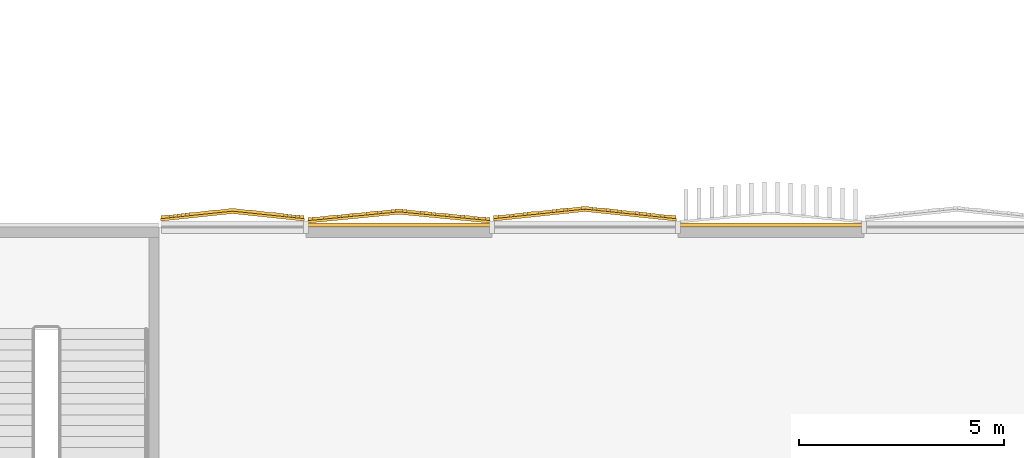
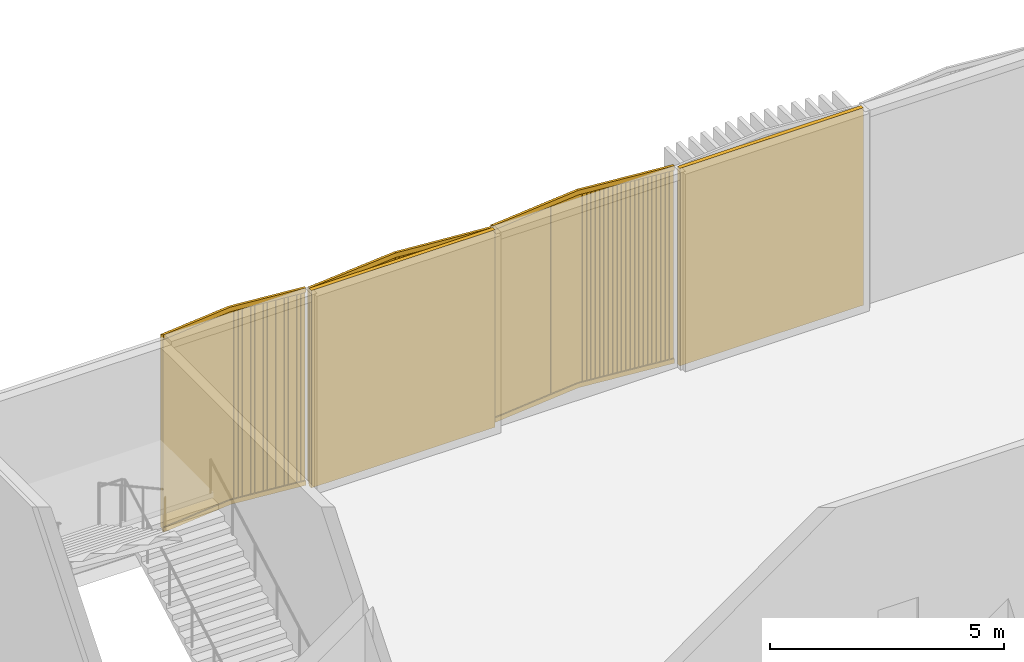
# One storey, part 29 of 31: 5 coverings.
"""IFC4 building model written with IfcOpenShell, lengths in metres."""

from ifc_helpers import new_model, si_unit, direction, frame, frame_2d, origin, origin_2d, place, context, subcontext, project, spatial, rectangle, extrude, source, transform, mapped, material, layer, layer_set, type_object, element, save


model = new_model("IFC4")

# Units and contexts
model_context = context("Model", 3, precision=1e-05, world=origin(), true_north=direction((0.0, 1.0)))
body_context = subcontext(model_context, "Body", "Model", "MODEL_VIEW")
ifc_project = project(units=[si_unit("LENGTHUNIT", "METRE"), si_unit("AREAUNIT", "SQUARE_METRE"), si_unit("VOLUMEUNIT", "CUBIC_METRE"), si_unit("PLANEANGLEUNIT", "RADIAN"), si_unit("MASSUNIT", "GRAM", prefix="KILO")], contexts=[model_context])

# Site, building, storey
site_placement = place(None, origin())
site = spatial("IfcSite", under=ifc_project, at=site_placement, CompositionType="ELEMENT")
building_placement = place(site_placement, origin())
building = spatial("IfcBuilding", under=site, at=building_placement, Name="Tamra Quay Hotel Tower", CompositionType="ELEMENT")
storey_placement = place(building_placement, frame((0.0, 0.0, 14.0)))
storey = spatial("IfcBuildingStorey", under=building, at=storey_placement, Name="L02", CompositionType="ELEMENT", Elevation=14.0)

# Coverings
ifc_material_1 = material(Name="Precast concrete M60 terracotta-coloured pierced relief", Category="masonry")
ifc_layer = layer(ifc_material_1, 0.10009765625)
ifc_layer_set = layer_set([ifc_layer], Name="PIERCED RELIEF PANEL 100")
covering_type_1 = type_object("IfcCoveringType", Name="PIERCED RELIEF PANEL 100", PredefinedType="CLADDING", material=ifc_layer_set)
for number, where, z_axis, x_axis, name in (
    (1, (-68.642333984375, 32.050048828125, 0.0), (0.0, 0.0, 1.0), (-1.0, 0.0, 0.0), "Relief panel L02.NW.19"),
    (2, (-77.734619140625, 32.050048828125, 0.0), (0.0, 0.0, 1.0), (-1.0, 0.0, 0.0), "Relief panel L02.NW.21"),
):
    element("IfcCovering", number, at=place(storey_placement, frame(where, z_axis=z_axis, x_axis=x_axis)), inside=storey, type_object=covering_type_1, Name=name, PredefinedType="CLADDING", context=body_context, shape_type="SweptSolid", body=[
        extrude(rectangle(XDim=4.526123046875, YDim=0.10009765625, at=origin_2d()), origin(), (0.0, 0.0, 1.0), 5.14990234375),
    ])
ifc_material_2 = material(Name="Terracotta baguette extruded", Category="masonry")
covering_type_2 = type_object("IfcCoveringType", Name="BAGUETTE SCREEN PODIUM-SHALLOW H5150", PredefinedType="USERDEFINED", material=ifc_material_2)
shared_shape_1 = source(origin(), body_context, "Body", "SweptSolid", [
    extrude(rectangle(XDim=2.244873046875, YDim=0.06005859375, at=frame_2d((1.12255859375, 0.030029296875))), frame((-2.23876953125, -0.0576171875, -0.1201171875), z_axis=(0.0, 0.0, 1.0), x_axis=(0.994521895368, -0.104528463268, 0.0)), (0.0, 0.0, 1.0), 0.1201171875),
    extrude(rectangle(XDim=2.244873046875, YDim=0.06005859375, at=frame_2d((1.12255859375, 0.030029296875))), frame((-2.23876953125, -0.0576171875, -5.14990234375), z_axis=(0.0, 0.0, 1.0), x_axis=(0.994521895368, -0.104528463268, 0.0)), (0.0, 0.0, 1.0), 0.1201171875),
    extrude(rectangle(XDim=0.094970703125, YDim=0.10009765625, at=frame_2d((0.04736328125, 0.050048828125))), frame((-2.229248046875, -0.13330078125, -5.090087890625)), (0.0, 0.0, 1.0), 5.030029296875),
    extrude(rectangle(XDim=0.094970703125, YDim=0.10009765625, at=frame_2d((0.04736328125, 0.050048828125))), frame((-2.127685546875, -0.14404296875, -5.090087890625)), (0.0, 0.0, 1.0), 5.030029296875),
    extrude(rectangle(XDim=0.094970703125, YDim=0.10009765625, at=frame_2d((0.04736328125, 0.050048828125))), frame((-2.0263671875, -0.154541015625, -5.090087890625)), (0.0, 0.0, 1.0), 5.030029296875),
    extrude(rectangle(XDim=0.094970703125, YDim=0.10009765625, at=frame_2d((0.04736328125, 0.050048828125))), frame((-1.9248046875, -0.165283203125, -5.090087890625)), (0.0, 0.0, 1.0), 5.030029296875),
    extrude(rectangle(XDim=0.094970703125, YDim=0.10009765625, at=frame_2d((0.04736328125, 0.050048828125))), frame((-1.8232421875, -0.176025390625, -5.090087890625)), (0.0, 0.0, 1.0), 5.030029296875),
    extrude(rectangle(XDim=0.094970703125, YDim=0.10009765625, at=frame_2d((0.04736328125, 0.050048828125))), frame((-1.721923828125, -0.186767578125, -5.090087890625)), (0.0, 0.0, 1.0), 5.030029296875),
    extrude(rectangle(XDim=0.094970703125, YDim=0.10009765625, at=frame_2d((0.04736328125, 0.050048828125))), frame((-1.620361328125, -0.197265625, -5.090087890625)), (0.0, 0.0, 1.0), 5.030029296875),
    extrude(rectangle(XDim=0.094970703125, YDim=0.10009765625, at=frame_2d((0.04736328125, 0.050048828125))), frame((-1.518798828125, -0.2080078125, -5.090087890625)), (0.0, 0.0, 1.0), 5.030029296875),
    extrude(rectangle(XDim=0.094970703125, YDim=0.10009765625, at=frame_2d((0.04736328125, 0.050048828125))), frame((-1.41748046875, -0.21875, -5.090087890625)), (0.0, 0.0, 1.0), 5.030029296875),
    extrude(rectangle(XDim=0.094970703125, YDim=0.10009765625, at=frame_2d((0.04736328125, 0.050048828125))), frame((-1.31591796875, -0.229248046875, -5.090087890625)), (0.0, 0.0, 1.0), 5.030029296875),
    extrude(rectangle(XDim=0.094970703125, YDim=0.10009765625, at=frame_2d((0.04736328125, 0.050048828125))), frame((-1.214599609375, -0.239990234375, -5.090087890625)), (0.0, 0.0, 1.0), 5.030029296875),
    extrude(rectangle(XDim=0.094970703125, YDim=0.10009765625, at=frame_2d((0.04736328125, 0.050048828125))), frame((-1.113037109375, -0.250732421875, -5.090087890625)), (0.0, 0.0, 1.0), 5.030029296875),
    extrude(rectangle(XDim=0.094970703125, YDim=0.10009765625, at=frame_2d((0.04736328125, 0.050048828125))), frame((-1.011474609375, -0.26123046875, -5.090087890625)), (0.0, 0.0, 1.0), 5.030029296875),
    extrude(rectangle(XDim=0.094970703125, YDim=0.10009765625, at=frame_2d((0.04736328125, 0.050048828125))), frame((-0.91015625, -0.27197265625, -5.090087890625)), (0.0, 0.0, 1.0), 5.030029296875),
    extrude(rectangle(XDim=0.094970703125, YDim=0.10009765625, at=frame_2d((0.04736328125, 0.050048828125))), frame((-0.80859375, -0.28271484375, -5.090087890625)), (0.0, 0.0, 1.0), 5.030029296875),
    extrude(rectangle(XDim=0.094970703125, YDim=0.10009765625, at=frame_2d((0.04736328125, 0.050048828125))), frame((-0.70703125, -0.293212890625, -5.090087890625)), (0.0, 0.0, 1.0), 5.030029296875),
    extrude(rectangle(XDim=0.094970703125, YDim=0.10009765625, at=frame_2d((0.04736328125, 0.050048828125))), frame((-0.605712890625, -0.303955078125, -5.090087890625)), (0.0, 0.0, 1.0), 5.030029296875),
    extrude(rectangle(XDim=0.094970703125, YDim=0.10009765625, at=frame_2d((0.04736328125, 0.050048828125))), frame((-0.504150390625, -0.314697265625, -5.090087890625)), (0.0, 0.0, 1.0), 5.030029296875),
    extrude(rectangle(XDim=0.094970703125, YDim=0.10009765625, at=frame_2d((0.04736328125, 0.050048828125))), frame((-0.402587890625, -0.325439453125, -5.090087890625)), (0.0, 0.0, 1.0), 5.030029296875),
    extrude(rectangle(XDim=0.094970703125, YDim=0.10009765625, at=frame_2d((0.04736328125, 0.050048828125))), frame((-0.30126953125, -0.3359375, -5.090087890625)), (0.0, 0.0, 1.0), 5.030029296875),
    extrude(rectangle(XDim=0.094970703125, YDim=0.10009765625, at=frame_2d((0.04736328125, 0.050048828125))), frame((-0.19970703125, -0.3466796875, -5.090087890625)), (0.0, 0.0, 1.0), 5.030029296875),
    extrude(rectangle(XDim=0.094970703125, YDim=0.10009765625, at=frame_2d((0.04736328125, 0.050048828125))), frame((-0.09814453125, -0.357421875, -5.090087890625)), (0.0, 0.0, 1.0), 5.030029296875),
    extrude(rectangle(XDim=2.244873046875, YDim=0.06005859375, at=frame_2d((1.12255859375, 0.030029296875))), frame((0.00634765625, -0.292236328125, -0.1201171875), z_axis=(0.0, 0.0, 1.0), x_axis=(0.994521895368, 0.104528463268, 0.0)), (0.0, 0.0, 1.0), 0.1201171875),
    extrude(rectangle(XDim=2.244873046875, YDim=0.06005859375, at=frame_2d((1.12255859375, 0.030029296875))), frame((0.00634765625, -0.292236328125, -5.14990234375), z_axis=(0.0, 0.0, 1.0), x_axis=(0.994521895368, 0.104528463268, 0.0)), (0.0, 0.0, 1.0), 0.1201171875),
    extrude(rectangle(XDim=0.094970703125, YDim=0.10009765625, at=frame_2d((0.04736328125, 0.050048828125))), frame((0.003173828125, -0.357421875, -5.090087890625)), (0.0, 0.0, 1.0), 5.030029296875),
    extrude(rectangle(XDim=0.094970703125, YDim=0.10009765625, at=frame_2d((0.04736328125, 0.050048828125))), frame((0.104736328125, -0.3466796875, -5.090087890625)), (0.0, 0.0, 1.0), 5.030029296875),
    extrude(rectangle(XDim=0.094970703125, YDim=0.10009765625, at=frame_2d((0.04736328125, 0.050048828125))), frame((0.206298828125, -0.3359375, -5.090087890625)), (0.0, 0.0, 1.0), 5.030029296875),
    extrude(rectangle(XDim=0.094970703125, YDim=0.10009765625, at=frame_2d((0.04736328125, 0.050048828125))), frame((0.3076171875, -0.325439453125, -5.090087890625)), (0.0, 0.0, 1.0), 5.030029296875),
    extrude(rectangle(XDim=0.094970703125, YDim=0.10009765625, at=frame_2d((0.04736328125, 0.050048828125))), frame((0.4091796875, -0.314697265625, -5.090087890625)), (0.0, 0.0, 1.0), 5.030029296875),
    extrude(rectangle(XDim=0.094970703125, YDim=0.10009765625, at=frame_2d((0.04736328125, 0.050048828125))), frame((0.510498046875, -0.303955078125, -5.090087890625)), (0.0, 0.0, 1.0), 5.030029296875),
    extrude(rectangle(XDim=0.094970703125, YDim=0.10009765625, at=frame_2d((0.04736328125, 0.050048828125))), frame((0.612060546875, -0.293212890625, -5.090087890625)), (0.0, 0.0, 1.0), 5.030029296875),
    extrude(rectangle(XDim=0.094970703125, YDim=0.10009765625, at=frame_2d((0.04736328125, 0.050048828125))), frame((0.713623046875, -0.28271484375, -5.090087890625)), (0.0, 0.0, 1.0), 5.030029296875),
    extrude(rectangle(XDim=0.094970703125, YDim=0.10009765625, at=frame_2d((0.04736328125, 0.050048828125))), frame((0.81494140625, -0.27197265625, -5.090087890625)), (0.0, 0.0, 1.0), 5.030029296875),
    extrude(rectangle(XDim=0.094970703125, YDim=0.10009765625, at=frame_2d((0.04736328125, 0.050048828125))), frame((0.91650390625, -0.26123046875, -5.090087890625)), (0.0, 0.0, 1.0), 5.030029296875),
    extrude(rectangle(XDim=0.094970703125, YDim=0.10009765625, at=frame_2d((0.04736328125, 0.050048828125))), frame((1.01806640625, -0.250732421875, -5.090087890625)), (0.0, 0.0, 1.0), 5.030029296875),
    extrude(rectangle(XDim=0.094970703125, YDim=0.10009765625, at=frame_2d((0.04736328125, 0.050048828125))), frame((1.119384765625, -0.239990234375, -5.090087890625)), (0.0, 0.0, 1.0), 5.030029296875),
    extrude(rectangle(XDim=0.094970703125, YDim=0.10009765625, at=frame_2d((0.04736328125, 0.050048828125))), frame((1.220947265625, -0.229248046875, -5.090087890625)), (0.0, 0.0, 1.0), 5.030029296875),
    extrude(rectangle(XDim=0.094970703125, YDim=0.10009765625, at=frame_2d((0.04736328125, 0.050048828125))), frame((1.322509765625, -0.21875, -5.090087890625)), (0.0, 0.0, 1.0), 5.030029296875),
    extrude(rectangle(XDim=0.094970703125, YDim=0.10009765625, at=frame_2d((0.04736328125, 0.050048828125))), frame((1.423828125, -0.2080078125, -5.090087890625)), (0.0, 0.0, 1.0), 5.030029296875),
    extrude(rectangle(XDim=0.094970703125, YDim=0.10009765625, at=frame_2d((0.04736328125, 0.050048828125))), frame((1.525390625, -0.197265625, -5.090087890625)), (0.0, 0.0, 1.0), 5.030029296875),
    extrude(rectangle(XDim=0.094970703125, YDim=0.10009765625, at=frame_2d((0.04736328125, 0.050048828125))), frame((1.626953125, -0.186767578125, -5.090087890625)), (0.0, 0.0, 1.0), 5.030029296875),
    extrude(rectangle(XDim=0.094970703125, YDim=0.10009765625, at=frame_2d((0.04736328125, 0.050048828125))), frame((1.728271484375, -0.176025390625, -5.090087890625)), (0.0, 0.0, 1.0), 5.030029296875),
    extrude(rectangle(XDim=0.094970703125, YDim=0.10009765625, at=frame_2d((0.04736328125, 0.050048828125))), frame((1.829833984375, -0.165283203125, -5.090087890625)), (0.0, 0.0, 1.0), 5.030029296875),
    extrude(rectangle(XDim=0.094970703125, YDim=0.10009765625, at=frame_2d((0.04736328125, 0.050048828125))), frame((1.931396484375, -0.154541015625, -5.090087890625)), (0.0, 0.0, 1.0), 5.030029296875),
    extrude(rectangle(XDim=0.094970703125, YDim=0.10009765625, at=frame_2d((0.04736328125, 0.050048828125))), frame((2.03271484375, -0.14404296875, -5.090087890625)), (0.0, 0.0, 1.0), 5.030029296875),
    extrude(rectangle(XDim=0.094970703125, YDim=0.10009765625, at=frame_2d((0.04736328125, 0.050048828125))), frame((2.13427734375, -0.13330078125, -5.090087890625)), (0.0, 0.0, 1.0), 5.030029296875),
])
covering_1_placement = place(storey_placement, frame((-73.1884765625, 32.14794921875, 5.14990234375), z_axis=(0.0, 0.0, 1.0), x_axis=(-1.0, 0.0, 0.0)))
element("IfcCovering", 3, at=covering_1_placement, inside=storey, type_object=covering_type_2, Name="Baguette screen L02.NW.f02", ObjectType="BAGUETTE SCREEN", PredefinedType="USERDEFINED", context=body_context, shape_type="MappedRepresentation", body=[
    mapped(shared_shape_1, transform((0.0, 0.0, 0.0), scale=1.0)),
])
shared_shape_2 = source(origin(), body_context, "Body", "SweptSolid", [
    extrude(rectangle(XDim=1.76220703125, YDim=0.06005859375, at=frame_2d((0.881103515625, 0.030029296875))), frame((-1.7587890625, -0.0576171875, -0.1201171875), z_axis=(0.0, 0.0, 1.0), x_axis=(0.994521895368, -0.104528463268, 0.0)), (0.0, 0.0, 1.0), 0.1201171875),
    extrude(rectangle(XDim=1.76220703125, YDim=0.06005859375, at=frame_2d((0.881103515625, 0.030029296875))), frame((-1.7587890625, -0.0576171875, -5.14990234375), z_axis=(0.0, 0.0, 1.0), x_axis=(0.994521895368, -0.104528463268, 0.0)), (0.0, 0.0, 1.0), 0.1201171875),
    extrude(rectangle(XDim=0.094970703125, YDim=0.10009765625, at=frame_2d((0.04736328125, 0.050048828125))), frame((-1.751220703125, -0.133056640625, -5.090087890625)), (0.0, 0.0, 1.0), 5.030029296875),
    extrude(rectangle(XDim=0.094970703125, YDim=0.10009765625, at=frame_2d((0.04736328125, 0.050048828125))), frame((-1.654052734375, -0.143310546875, -5.090087890625)), (0.0, 0.0, 1.0), 5.030029296875),
    extrude(rectangle(XDim=0.094970703125, YDim=0.10009765625, at=frame_2d((0.04736328125, 0.050048828125))), frame((-1.556640625, -0.153564453125, -5.090087890625)), (0.0, 0.0, 1.0), 5.030029296875),
    extrude(rectangle(XDim=0.094970703125, YDim=0.10009765625, at=frame_2d((0.04736328125, 0.050048828125))), frame((-1.459228515625, -0.163818359375, -5.090087890625)), (0.0, 0.0, 1.0), 5.030029296875),
    extrude(rectangle(XDim=0.094970703125, YDim=0.10009765625, at=frame_2d((0.04736328125, 0.050048828125))), frame((-1.36181640625, -0.174072265625, -5.090087890625)), (0.0, 0.0, 1.0), 5.030029296875),
    extrude(rectangle(XDim=0.094970703125, YDim=0.10009765625, at=frame_2d((0.04736328125, 0.050048828125))), frame((-1.264404296875, -0.184326171875, -5.090087890625)), (0.0, 0.0, 1.0), 5.030029296875),
    extrude(rectangle(XDim=0.094970703125, YDim=0.10009765625, at=frame_2d((0.04736328125, 0.050048828125))), frame((-1.167236328125, -0.194580078125, -5.090087890625)), (0.0, 0.0, 1.0), 5.030029296875),
    extrude(rectangle(XDim=0.094970703125, YDim=0.10009765625, at=frame_2d((0.04736328125, 0.050048828125))), frame((-1.06982421875, -0.204833984375, -5.090087890625)), (0.0, 0.0, 1.0), 5.030029296875),
    extrude(rectangle(XDim=0.094970703125, YDim=0.10009765625, at=frame_2d((0.04736328125, 0.050048828125))), frame((-0.972412109375, -0.215087890625, -5.090087890625)), (0.0, 0.0, 1.0), 5.030029296875),
    extrude(rectangle(XDim=0.094970703125, YDim=0.10009765625, at=frame_2d((0.04736328125, 0.050048828125))), frame((-0.875, -0.22509765625, -5.090087890625)), (0.0, 0.0, 1.0), 5.030029296875),
    extrude(rectangle(XDim=0.094970703125, YDim=0.10009765625, at=frame_2d((0.04736328125, 0.050048828125))), frame((-0.77783203125, -0.2353515625, -5.090087890625)), (0.0, 0.0, 1.0), 5.030029296875),
    extrude(rectangle(XDim=0.094970703125, YDim=0.10009765625, at=frame_2d((0.04736328125, 0.050048828125))), frame((-0.680419921875, -0.24560546875, -5.090087890625)), (0.0, 0.0, 1.0), 5.030029296875),
    extrude(rectangle(XDim=0.094970703125, YDim=0.10009765625, at=frame_2d((0.04736328125, 0.050048828125))), frame((-0.5830078125, -0.255859375, -5.090087890625)), (0.0, 0.0, 1.0), 5.030029296875),
    extrude(rectangle(XDim=0.094970703125, YDim=0.10009765625, at=frame_2d((0.04736328125, 0.050048828125))), frame((-0.485595703125, -0.26611328125, -5.090087890625)), (0.0, 0.0, 1.0), 5.030029296875),
    extrude(rectangle(XDim=0.094970703125, YDim=0.10009765625, at=frame_2d((0.04736328125, 0.050048828125))), frame((-0.38818359375, -0.2763671875, -5.090087890625)), (0.0, 0.0, 1.0), 5.030029296875),
    extrude(rectangle(XDim=0.094970703125, YDim=0.10009765625, at=frame_2d((0.04736328125, 0.050048828125))), frame((-0.291015625, -0.28662109375, -5.090087890625)), (0.0, 0.0, 1.0), 5.030029296875),
    extrude(rectangle(XDim=0.094970703125, YDim=0.10009765625, at=frame_2d((0.04736328125, 0.050048828125))), frame((-0.193603515625, -0.296875, -5.090087890625)), (0.0, 0.0, 1.0), 5.030029296875),
    extrude(rectangle(XDim=0.094970703125, YDim=0.10009765625, at=frame_2d((0.04736328125, 0.050048828125))), frame((-0.09619140625, -0.30712890625, -5.090087890625)), (0.0, 0.0, 1.0), 5.030029296875),
    extrude(rectangle(XDim=1.76220703125, YDim=0.06005859375, at=frame_2d((0.881103515625, 0.030029296875))), frame((0.00634765625, -0.241943359375, -0.1201171875), z_axis=(0.0, 0.0, 1.0), x_axis=(0.994521895368, 0.104528463268, 0.0)), (0.0, 0.0, 1.0), 0.1201171875),
    extrude(rectangle(XDim=1.76220703125, YDim=0.06005859375, at=frame_2d((0.881103515625, 0.030029296875))), frame((0.00634765625, -0.241943359375, -5.14990234375), z_axis=(0.0, 0.0, 1.0), x_axis=(0.994521895368, 0.104528463268, 0.0)), (0.0, 0.0, 1.0), 0.1201171875),
    extrude(rectangle(XDim=0.094970703125, YDim=0.10009765625, at=frame_2d((0.04736328125, 0.050048828125))), frame((0.001220703125, -0.30712890625, -5.090087890625)), (0.0, 0.0, 1.0), 5.030029296875),
    extrude(rectangle(XDim=0.094970703125, YDim=0.10009765625, at=frame_2d((0.04736328125, 0.050048828125))), frame((0.0986328125, -0.296875, -5.090087890625)), (0.0, 0.0, 1.0), 5.030029296875),
    extrude(rectangle(XDim=0.094970703125, YDim=0.10009765625, at=frame_2d((0.04736328125, 0.050048828125))), frame((0.19580078125, -0.28662109375, -5.090087890625)), (0.0, 0.0, 1.0), 5.030029296875),
    extrude(rectangle(XDim=0.094970703125, YDim=0.10009765625, at=frame_2d((0.04736328125, 0.050048828125))), frame((0.293212890625, -0.2763671875, -5.090087890625)), (0.0, 0.0, 1.0), 5.030029296875),
    extrude(rectangle(XDim=0.094970703125, YDim=0.10009765625, at=frame_2d((0.04736328125, 0.050048828125))), frame((0.390625, -0.26611328125, -5.090087890625)), (0.0, 0.0, 1.0), 5.030029296875),
    extrude(rectangle(XDim=0.094970703125, YDim=0.10009765625, at=frame_2d((0.04736328125, 0.050048828125))), frame((0.488037109375, -0.255859375, -5.090087890625)), (0.0, 0.0, 1.0), 5.030029296875),
    extrude(rectangle(XDim=0.094970703125, YDim=0.10009765625, at=frame_2d((0.04736328125, 0.050048828125))), frame((0.58544921875, -0.24560546875, -5.090087890625)), (0.0, 0.0, 1.0), 5.030029296875),
    extrude(rectangle(XDim=0.094970703125, YDim=0.10009765625, at=frame_2d((0.04736328125, 0.050048828125))), frame((0.6826171875, -0.2353515625, -5.090087890625)), (0.0, 0.0, 1.0), 5.030029296875),
    extrude(rectangle(XDim=0.094970703125, YDim=0.10009765625, at=frame_2d((0.04736328125, 0.050048828125))), frame((0.780029296875, -0.22509765625, -5.090087890625)), (0.0, 0.0, 1.0), 5.030029296875),
    extrude(rectangle(XDim=0.094970703125, YDim=0.10009765625, at=frame_2d((0.04736328125, 0.050048828125))), frame((0.87744140625, -0.215087890625, -5.090087890625)), (0.0, 0.0, 1.0), 5.030029296875),
    extrude(rectangle(XDim=0.094970703125, YDim=0.10009765625, at=frame_2d((0.04736328125, 0.050048828125))), frame((0.974853515625, -0.204833984375, -5.090087890625)), (0.0, 0.0, 1.0), 5.030029296875),
    extrude(rectangle(XDim=0.094970703125, YDim=0.10009765625, at=frame_2d((0.04736328125, 0.050048828125))), frame((1.072265625, -0.194580078125, -5.090087890625)), (0.0, 0.0, 1.0), 5.030029296875),
    extrude(rectangle(XDim=0.094970703125, YDim=0.10009765625, at=frame_2d((0.04736328125, 0.050048828125))), frame((1.16943359375, -0.184326171875, -5.090087890625)), (0.0, 0.0, 1.0), 5.030029296875),
    extrude(rectangle(XDim=0.094970703125, YDim=0.10009765625, at=frame_2d((0.04736328125, 0.050048828125))), frame((1.266845703125, -0.174072265625, -5.090087890625)), (0.0, 0.0, 1.0), 5.030029296875),
    extrude(rectangle(XDim=0.094970703125, YDim=0.10009765625, at=frame_2d((0.04736328125, 0.050048828125))), frame((1.3642578125, -0.163818359375, -5.090087890625)), (0.0, 0.0, 1.0), 5.030029296875),
    extrude(rectangle(XDim=0.094970703125, YDim=0.10009765625, at=frame_2d((0.04736328125, 0.050048828125))), frame((1.461669921875, -0.153564453125, -5.090087890625)), (0.0, 0.0, 1.0), 5.030029296875),
    extrude(rectangle(XDim=0.094970703125, YDim=0.10009765625, at=frame_2d((0.04736328125, 0.050048828125))), frame((1.55908203125, -0.143310546875, -5.090087890625)), (0.0, 0.0, 1.0), 5.030029296875),
    extrude(rectangle(XDim=0.094970703125, YDim=0.10009765625, at=frame_2d((0.04736328125, 0.050048828125))), frame((1.65625, -0.133056640625, -5.090087890625)), (0.0, 0.0, 1.0), 5.030029296875),
])
covering_2_placement = place(storey_placement, frame((-81.803955078125, 32.14794921875, 5.14990234375), z_axis=(0.0, 0.0, 1.0), x_axis=(-1.0, 0.0, 0.0)))
element("IfcCovering", 4, at=covering_2_placement, inside=storey, type_object=covering_type_2, Name="Baguette screen L02.NW.f03", ObjectType="BAGUETTE SCREEN", PredefinedType="USERDEFINED", context=body_context, shape_type="MappedRepresentation", body=[
    mapped(shared_shape_2, transform((0.0, 0.0, 0.0), scale=1.0)),
])
covering_type_3 = type_object("IfcCoveringType", Name="BAGUETTE SCREEN NW-SHALLOW H5150", PredefinedType="USERDEFINED", material=ifc_material_2)
shared_shape_3 = source(origin(), body_context, "Body", "SweptSolid", [
    extrude(rectangle(XDim=2.242919921875, YDim=0.06005859375, at=frame_2d((1.12158203125, 0.030029296875))), frame((-2.23828125, -0.0576171875, -0.1201171875), z_axis=(0.0, 0.0, 1.0), x_axis=(0.995396198367, -0.09584575252, 0.0)), (0.0, 0.0, 1.0), 0.1201171875),
    extrude(rectangle(XDim=2.242919921875, YDim=0.06005859375, at=frame_2d((1.12158203125, 0.030029296875))), frame((-2.23828125, -0.0576171875, -5.14990234375), z_axis=(0.0, 0.0, 1.0), x_axis=(0.995396198367, -0.09584575252, 0.0)), (0.0, 0.0, 1.0), 0.1201171875),
    extrude(rectangle(XDim=0.094970703125, YDim=0.10009765625, at=frame_2d((0.04736328125, 0.050048828125))), frame((-2.229248046875, -0.1328125, -5.090087890625)), (0.0, 0.0, 1.0), 5.030029296875),
    extrude(rectangle(XDim=0.094970703125, YDim=0.10009765625, at=frame_2d((0.04736328125, 0.050048828125))), frame((-2.127685546875, -0.142578125, -5.090087890625)), (0.0, 0.0, 1.0), 5.030029296875),
    extrude(rectangle(XDim=0.094970703125, YDim=0.10009765625, at=frame_2d((0.04736328125, 0.050048828125))), frame((-2.0263671875, -0.15234375, -5.090087890625)), (0.0, 0.0, 1.0), 5.030029296875),
    extrude(rectangle(XDim=0.094970703125, YDim=0.10009765625, at=frame_2d((0.04736328125, 0.050048828125))), frame((-1.9248046875, -0.162109375, -5.090087890625)), (0.0, 0.0, 1.0), 5.030029296875),
    extrude(rectangle(XDim=0.094970703125, YDim=0.10009765625, at=frame_2d((0.04736328125, 0.050048828125))), frame((-1.8232421875, -0.171875, -5.090087890625)), (0.0, 0.0, 1.0), 5.030029296875),
    extrude(rectangle(XDim=0.094970703125, YDim=0.10009765625, at=frame_2d((0.04736328125, 0.050048828125))), frame((-1.721923828125, -0.181640625, -5.090087890625)), (0.0, 0.0, 1.0), 5.030029296875),
    extrude(rectangle(XDim=0.094970703125, YDim=0.10009765625, at=frame_2d((0.04736328125, 0.050048828125))), frame((-1.620361328125, -0.19140625, -5.090087890625)), (0.0, 0.0, 1.0), 5.030029296875),
    extrude(rectangle(XDim=0.094970703125, YDim=0.10009765625, at=frame_2d((0.04736328125, 0.050048828125))), frame((-1.518798828125, -0.201171875, -5.090087890625)), (0.0, 0.0, 1.0), 5.030029296875),
    extrude(rectangle(XDim=0.094970703125, YDim=0.10009765625, at=frame_2d((0.04736328125, 0.050048828125))), frame((-1.41748046875, -0.2109375, -5.090087890625)), (0.0, 0.0, 1.0), 5.030029296875),
    extrude(rectangle(XDim=0.094970703125, YDim=0.10009765625, at=frame_2d((0.04736328125, 0.050048828125))), frame((-1.31591796875, -0.220947265625, -5.090087890625)), (0.0, 0.0, 1.0), 5.030029296875),
    extrude(rectangle(XDim=0.094970703125, YDim=0.10009765625, at=frame_2d((0.04736328125, 0.050048828125))), frame((-1.214599609375, -0.230712890625, -5.090087890625)), (0.0, 0.0, 1.0), 5.030029296875),
    extrude(rectangle(XDim=0.094970703125, YDim=0.10009765625, at=frame_2d((0.04736328125, 0.050048828125))), frame((-1.113037109375, -0.240478515625, -5.090087890625)), (0.0, 0.0, 1.0), 5.030029296875),
    extrude(rectangle(XDim=0.094970703125, YDim=0.10009765625, at=frame_2d((0.04736328125, 0.050048828125))), frame((-1.011474609375, -0.250244140625, -5.090087890625)), (0.0, 0.0, 1.0), 5.030029296875),
    extrude(rectangle(XDim=0.094970703125, YDim=0.10009765625, at=frame_2d((0.04736328125, 0.050048828125))), frame((-0.91015625, -0.260009765625, -5.090087890625)), (0.0, 0.0, 1.0), 5.030029296875),
    extrude(rectangle(XDim=0.094970703125, YDim=0.10009765625, at=frame_2d((0.04736328125, 0.050048828125))), frame((-0.80859375, -0.269775390625, -5.090087890625)), (0.0, 0.0, 1.0), 5.030029296875),
    extrude(rectangle(XDim=0.094970703125, YDim=0.10009765625, at=frame_2d((0.04736328125, 0.050048828125))), frame((-0.70703125, -0.279541015625, -5.090087890625)), (0.0, 0.0, 1.0), 5.030029296875),
    extrude(rectangle(XDim=0.094970703125, YDim=0.10009765625, at=frame_2d((0.04736328125, 0.050048828125))), frame((-0.605712890625, -0.289306640625, -5.090087890625)), (0.0, 0.0, 1.0), 5.030029296875),
    extrude(rectangle(XDim=0.094970703125, YDim=0.10009765625, at=frame_2d((0.04736328125, 0.050048828125))), frame((-0.504150390625, -0.299072265625, -5.090087890625)), (0.0, 0.0, 1.0), 5.030029296875),
    extrude(rectangle(XDim=0.094970703125, YDim=0.10009765625, at=frame_2d((0.04736328125, 0.050048828125))), frame((-0.402587890625, -0.308837890625, -5.090087890625)), (0.0, 0.0, 1.0), 5.030029296875),
    extrude(rectangle(XDim=0.094970703125, YDim=0.10009765625, at=frame_2d((0.04736328125, 0.050048828125))), frame((-0.30126953125, -0.318603515625, -5.090087890625)), (0.0, 0.0, 1.0), 5.030029296875),
    extrude(rectangle(XDim=0.094970703125, YDim=0.10009765625, at=frame_2d((0.04736328125, 0.050048828125))), frame((-0.19970703125, -0.328369140625, -5.090087890625)), (0.0, 0.0, 1.0), 5.030029296875),
    extrude(rectangle(XDim=0.094970703125, YDim=0.10009765625, at=frame_2d((0.04736328125, 0.050048828125))), frame((-0.09814453125, -0.338134765625, -5.090087890625)), (0.0, 0.0, 1.0), 5.030029296875),
    extrude(rectangle(XDim=2.242919921875, YDim=0.06005859375, at=frame_2d((1.12158203125, 0.030029296875))), frame((0.005859375, -0.272705078125, -0.1201171875), z_axis=(0.0, 0.0, 1.0), x_axis=(0.995396198367, 0.09584575252, 0.0)), (0.0, 0.0, 1.0), 0.1201171875),
    extrude(rectangle(XDim=2.242919921875, YDim=0.06005859375, at=frame_2d((1.12158203125, 0.030029296875))), frame((0.005859375, -0.272705078125, -5.14990234375), z_axis=(0.0, 0.0, 1.0), x_axis=(0.995396198367, 0.09584575252, 0.0)), (0.0, 0.0, 1.0), 0.1201171875),
    extrude(rectangle(XDim=0.094970703125, YDim=0.10009765625, at=frame_2d((0.04736328125, 0.050048828125))), frame((0.003173828125, -0.338134765625, -5.090087890625)), (0.0, 0.0, 1.0), 5.030029296875),
    extrude(rectangle(XDim=0.094970703125, YDim=0.10009765625, at=frame_2d((0.04736328125, 0.050048828125))), frame((0.104736328125, -0.328369140625, -5.090087890625)), (0.0, 0.0, 1.0), 5.030029296875),
    extrude(rectangle(XDim=0.094970703125, YDim=0.10009765625, at=frame_2d((0.04736328125, 0.050048828125))), frame((0.206298828125, -0.318603515625, -5.090087890625)), (0.0, 0.0, 1.0), 5.030029296875),
    extrude(rectangle(XDim=0.094970703125, YDim=0.10009765625, at=frame_2d((0.04736328125, 0.050048828125))), frame((0.3076171875, -0.308837890625, -5.090087890625)), (0.0, 0.0, 1.0), 5.030029296875),
    extrude(rectangle(XDim=0.094970703125, YDim=0.10009765625, at=frame_2d((0.04736328125, 0.050048828125))), frame((0.4091796875, -0.299072265625, -5.090087890625)), (0.0, 0.0, 1.0), 5.030029296875),
    extrude(rectangle(XDim=0.094970703125, YDim=0.10009765625, at=frame_2d((0.04736328125, 0.050048828125))), frame((0.5107421875, -0.289306640625, -5.090087890625)), (0.0, 0.0, 1.0), 5.030029296875),
    extrude(rectangle(XDim=0.094970703125, YDim=0.10009765625, at=frame_2d((0.04736328125, 0.050048828125))), frame((0.612060546875, -0.279541015625, -5.090087890625)), (0.0, 0.0, 1.0), 5.030029296875),
    extrude(rectangle(XDim=0.094970703125, YDim=0.10009765625, at=frame_2d((0.04736328125, 0.050048828125))), frame((0.713623046875, -0.269775390625, -5.090087890625)), (0.0, 0.0, 1.0), 5.030029296875),
    extrude(rectangle(XDim=0.094970703125, YDim=0.10009765625, at=frame_2d((0.04736328125, 0.050048828125))), frame((0.81494140625, -0.260009765625, -5.090087890625)), (0.0, 0.0, 1.0), 5.030029296875),
    extrude(rectangle(XDim=0.094970703125, YDim=0.10009765625, at=frame_2d((0.04736328125, 0.050048828125))), frame((0.91650390625, -0.250244140625, -5.090087890625)), (0.0, 0.0, 1.0), 5.030029296875),
    extrude(rectangle(XDim=0.094970703125, YDim=0.10009765625, at=frame_2d((0.04736328125, 0.050048828125))), frame((1.01806640625, -0.240478515625, -5.090087890625)), (0.0, 0.0, 1.0), 5.030029296875),
    extrude(rectangle(XDim=0.094970703125, YDim=0.10009765625, at=frame_2d((0.04736328125, 0.050048828125))), frame((1.119384765625, -0.230712890625, -5.090087890625)), (0.0, 0.0, 1.0), 5.030029296875),
    extrude(rectangle(XDim=0.094970703125, YDim=0.10009765625, at=frame_2d((0.04736328125, 0.050048828125))), frame((1.220947265625, -0.220947265625, -5.090087890625)), (0.0, 0.0, 1.0), 5.030029296875),
    extrude(rectangle(XDim=0.094970703125, YDim=0.10009765625, at=frame_2d((0.04736328125, 0.050048828125))), frame((1.322509765625, -0.2109375, -5.090087890625)), (0.0, 0.0, 1.0), 5.030029296875),
    extrude(rectangle(XDim=0.094970703125, YDim=0.10009765625, at=frame_2d((0.04736328125, 0.050048828125))), frame((1.423828125, -0.201171875, -5.090087890625)), (0.0, 0.0, 1.0), 5.030029296875),
    extrude(rectangle(XDim=0.094970703125, YDim=0.10009765625, at=frame_2d((0.04736328125, 0.050048828125))), frame((1.525390625, -0.19140625, -5.090087890625)), (0.0, 0.0, 1.0), 5.030029296875),
    extrude(rectangle(XDim=0.094970703125, YDim=0.10009765625, at=frame_2d((0.04736328125, 0.050048828125))), frame((1.626953125, -0.181640625, -5.090087890625)), (0.0, 0.0, 1.0), 5.030029296875),
    extrude(rectangle(XDim=0.094970703125, YDim=0.10009765625, at=frame_2d((0.04736328125, 0.050048828125))), frame((1.728271484375, -0.171875, -5.090087890625)), (0.0, 0.0, 1.0), 5.030029296875),
    extrude(rectangle(XDim=0.094970703125, YDim=0.10009765625, at=frame_2d((0.04736328125, 0.050048828125))), frame((1.829833984375, -0.162109375, -5.090087890625)), (0.0, 0.0, 1.0), 5.030029296875),
    extrude(rectangle(XDim=0.094970703125, YDim=0.10009765625, at=frame_2d((0.04736328125, 0.050048828125))), frame((1.931396484375, -0.15234375, -5.090087890625)), (0.0, 0.0, 1.0), 5.030029296875),
    extrude(rectangle(XDim=0.094970703125, YDim=0.10009765625, at=frame_2d((0.04736328125, 0.050048828125))), frame((2.03271484375, -0.142578125, -5.090087890625)), (0.0, 0.0, 1.0), 5.030029296875),
    extrude(rectangle(XDim=0.094970703125, YDim=0.10009765625, at=frame_2d((0.04736328125, 0.050048828125))), frame((2.13427734375, -0.1328125, -5.090087890625)), (0.0, 0.0, 1.0), 5.030029296875),
])
covering_3_placement = place(storey_placement, frame((-77.734619140625, 32.10009765625, 5.14990234375), z_axis=(0.0, 0.0, 1.0), x_axis=(-1.0, 0.0, 0.0)))
element("IfcCovering", 5, at=covering_3_placement, inside=storey, type_object=covering_type_3, Name="Baguette screen wing.L02.NW.21", ObjectType="BAGUETTE SCREEN", PredefinedType="USERDEFINED", context=body_context, shape_type="MappedRepresentation", body=[
    mapped(shared_shape_3, transform((0.0, 0.0, 0.0), scale=1.0)),
])

save(model, "model.ifc")
